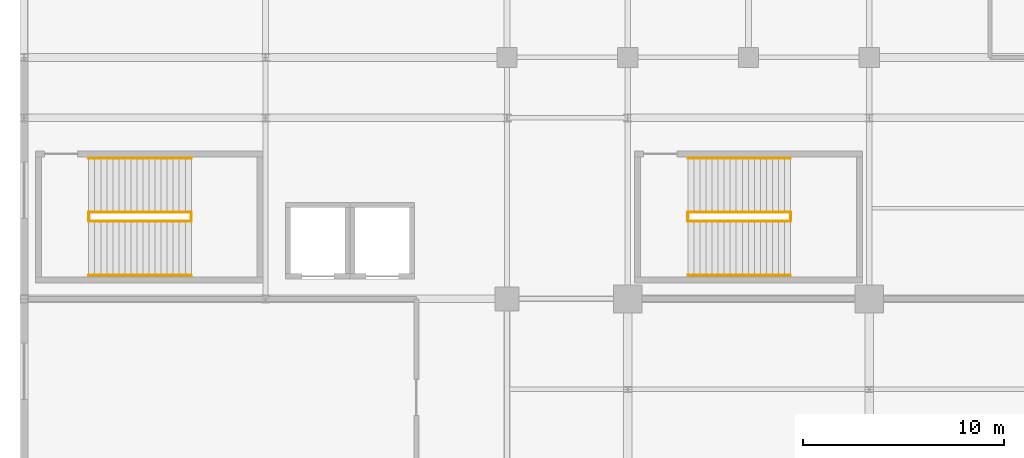
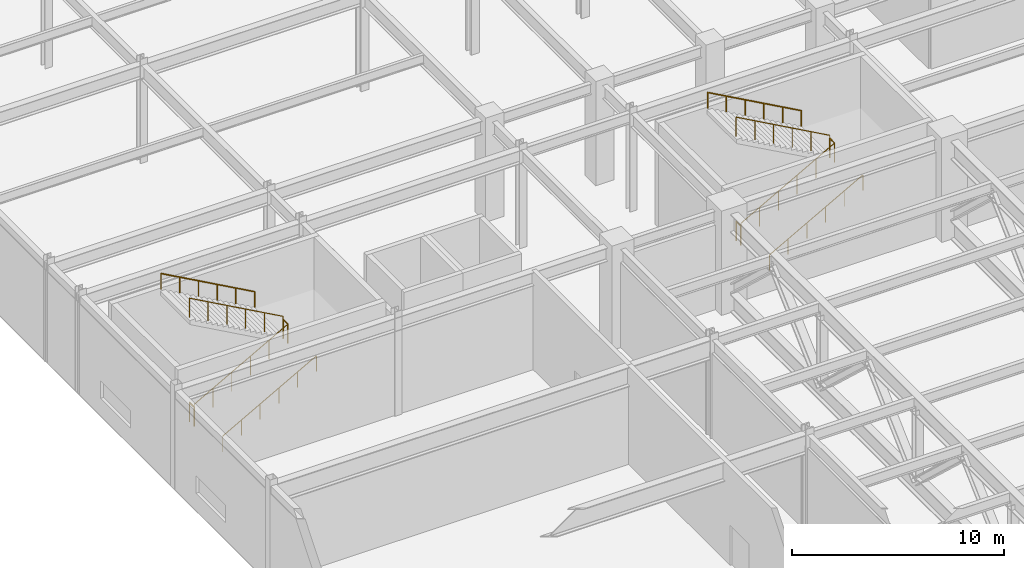
# One storey, part 103 of 108: 12 railings.
"""IFC4 building model written with IfcOpenShell, lengths in metres."""

from ifc_helpers import new_model, si_unit, direction, frame, origin, origin_2d, place, context, subcontext, project, spatial, circle, extrude, material, type_object, element, save


model = new_model("IFC4")

# Units and contexts
model_context = context("Model", 3, precision=1e-05, world=origin(), true_north=direction((0.0, 1.0)))
body_context = subcontext(model_context, "Body", "Model", "MODEL_VIEW")
ifc_project = project(units=[si_unit("LENGTHUNIT", "METRE"), si_unit("AREAUNIT", "SQUARE_METRE"), si_unit("VOLUMEUNIT", "CUBIC_METRE"), si_unit("PLANEANGLEUNIT", "RADIAN"), si_unit("MASSUNIT", "GRAM", prefix="KILO")], contexts=[model_context])

# Site, building, storey
site_placement = place(None, origin())
site = spatial("IfcSite", under=ifc_project, at=site_placement, CompositionType="ELEMENT")
building_placement = place(site_placement, origin())
building = spatial("IfcBuilding", under=site, at=building_placement, Name="Kaldorvane Square Convention Centre", CompositionType="ELEMENT")
storey_placement = place(building_placement, frame((0.0, 0.0, 12.0)))
storey = spatial("IfcBuildingStorey", under=building, at=storey_placement, Name="L02", CompositionType="ELEMENT", Elevation=12.0)

# Railings
ifc_material = material(Name="Architectural Painted Steel", Category="steel")
railing_type_1 = type_object("IfcRailingType", Name="RL-GUARD-1120", PredefinedType="BALUSTRADE", material=ifc_material)
for number, where, name in (
    (1, (3.2100067138671875, 75.86000061035156, 0.0), "Convention Exit Stair C12 Floor Well Guard (L02)"),
    (2, (8.30999755859375, 75.86000061035156, 3.0), "Convention Exit Stair C12 Half-Landing Guard (L02)"),
):
    element("IfcRailing", number, at=place(storey_placement, frame(where)), inside=storey, type_object=railing_type_1, Name=name, PredefinedType="BALUSTRADE", context=body_context, shape_type="SweptSolid", body=[
        extrude(circle(Radius=0.0240020751953125, at=origin_2d()), frame((0.0, 0.0, 1.0959930419921875), z_axis=(0.0, 1.0, 0.0), x_axis=(-1.0, 0.0, 0.0)), (0.0, 0.0, 1.0), 0.44000244140625),
        extrude(circle(Radius=0.02099609375, at=origin_2d()), origin(), (0.0, 0.0, 1.0), 1.071990966796875),
        extrude(circle(Radius=0.02099609375, at=origin_2d()), frame((0.0, 0.44000244140625, 0.0)), (0.0, 0.0, 1.0), 1.071990966796875),
    ])
railing_1_placement = place(storey_placement, frame((3.2100067138671875, 75.85000610351562, 0.1666717529296875)))
element("IfcRailing", 3, at=railing_1_placement, inside=storey, type_object=railing_type_1, Name="Convention Exit Stair C12 Flight 1 Guard (L02)", PredefinedType="BALUSTRADE", context=body_context, shape_type="SweptSolid", body=[
    extrude(circle(Radius=0.0240020751953125, at=origin_2d()), frame((0.0, 0.0, 1.0959930419921875), z_axis=(0.874157276122, 0.0, 0.485642931179), x_axis=(0.0, 1.0, 0.0)), (0.0, 0.0, 1.0), 5.8341827392578125),
    extrude(circle(Radius=0.02099609375, at=origin_2d()), origin(), (0.0, 0.0, 1.0), 1.071990966796875),
    extrude(circle(Radius=0.02099609375, at=origin_2d()), frame((1.0200042724609375, 0.0, 0.5666656494140625)), (0.0, 0.0, 1.0), 1.071990966796875),
    extrude(circle(Radius=0.02099609375, at=origin_2d()), frame((2.0399932861328125, 0.0, 1.133331298828125)), (0.0, 0.0, 1.0), 1.071990966796875),
    extrude(circle(Radius=0.02099609375, at=origin_2d()), frame((3.05999755859375, 0.0, 1.6999969482421875)), (0.0, 0.0, 1.0), 1.071990966796875),
    extrude(circle(Radius=0.02099609375, at=origin_2d()), frame((4.079986572265625, 0.0, 2.26666259765625)), (0.0, 0.0, 1.0), 1.071990966796875),
    extrude(circle(Radius=0.02099609375, at=origin_2d()), frame((5.0999908447265625, 0.0, 2.8333282470703125)), (0.0, 0.0, 1.0), 1.071990966796875),
])
railing_2_placement = place(storey_placement, frame((8.30999755859375, 76.30999755859375, 3.1666717529296875)))
element("IfcRailing", 4, at=railing_2_placement, inside=storey, type_object=railing_type_1, Name="Convention Exit Stair C12 Flight 2 Guard (L02)", PredefinedType="BALUSTRADE", context=body_context, shape_type="SweptSolid", body=[
    extrude(circle(Radius=0.0240020751953125, at=origin_2d()), frame((0.0, 0.0, 1.0959930419921875), z_axis=(-0.874157276122, 0.0, 0.485642931179), x_axis=(0.0, -1.0, 0.0)), (0.0, 0.0, 1.0), 5.8341827392578125),
    extrude(circle(Radius=0.02099609375, at=origin_2d()), origin(), (0.0, 0.0, 1.0), 1.071990966796875),
    extrude(circle(Radius=0.02099609375, at=origin_2d()), frame((-1.0200042724609375, 0.0, 0.5666656494140625)), (0.0, 0.0, 1.0), 1.071990966796875),
    extrude(circle(Radius=0.02099609375, at=origin_2d()), frame((-2.0399932861328125, 0.0, 1.133331298828125)), (0.0, 0.0, 1.0), 1.071990966796875),
    extrude(circle(Radius=0.02099609375, at=origin_2d()), frame((-3.05999755859375, 0.0, 1.6999969482421875)), (0.0, 0.0, 1.0), 1.071990966796875),
    extrude(circle(Radius=0.02099609375, at=origin_2d()), frame((-4.079986572265625, 0.0, 2.26666259765625)), (0.0, 0.0, 1.0), 1.071990966796875),
    extrude(circle(Radius=0.02099609375, at=origin_2d()), frame((-5.0999908447265625, 0.0, 2.8333282470703125)), (0.0, 0.0, 1.0), 1.071990966796875),
])
for number, where, name in (
    (5, (32.99000549316406, 75.86000061035156, 0.0), "Convention Exit Stair C13 Floor Well Guard (L02)"),
    (6, (38.089996337890625, 75.86000061035156, 3.0), "Convention Exit Stair C13 Half-Landing Guard (L02)"),
):
    element("IfcRailing", number, at=place(storey_placement, frame(where)), inside=storey, type_object=railing_type_1, Name=name, PredefinedType="BALUSTRADE", context=body_context, shape_type="SweptSolid", body=[
        extrude(circle(Radius=0.0240020751953125, at=origin_2d()), frame((0.0, 0.0, 1.0959930419921875), z_axis=(0.0, 1.0, 0.0), x_axis=(-1.0, 0.0, 0.0)), (0.0, 0.0, 1.0), 0.44000244140625),
        extrude(circle(Radius=0.02099609375, at=origin_2d()), origin(), (0.0, 0.0, 1.0), 1.071990966796875),
        extrude(circle(Radius=0.02099609375, at=origin_2d()), frame((0.0, 0.44000244140625, 0.0)), (0.0, 0.0, 1.0), 1.071990966796875),
    ])
railing_3_placement = place(storey_placement, frame((32.99000549316406, 75.85000610351562, 0.1666717529296875)))
element("IfcRailing", 7, at=railing_3_placement, inside=storey, type_object=railing_type_1, Name="Convention Exit Stair C13 Flight 1 Guard (L02)", PredefinedType="BALUSTRADE", context=body_context, shape_type="SweptSolid", body=[
    extrude(circle(Radius=0.0240020751953125, at=origin_2d()), frame((0.0, 0.0, 1.0959930419921875), z_axis=(0.874157276122, 0.0, 0.485642931179), x_axis=(0.0, 1.0, 0.0)), (0.0, 0.0, 1.0), 5.8341827392578125),
    extrude(circle(Radius=0.02099609375, at=origin_2d()), origin(), (0.0, 0.0, 1.0), 1.071990966796875),
    extrude(circle(Radius=0.02099609375, at=origin_2d()), frame((1.0200042724609375, 0.0, 0.5666656494140625)), (0.0, 0.0, 1.0), 1.071990966796875),
    extrude(circle(Radius=0.02099609375, at=origin_2d()), frame((2.0399932861328125, 0.0, 1.133331298828125)), (0.0, 0.0, 1.0), 1.071990966796875),
    extrude(circle(Radius=0.02099609375, at=origin_2d()), frame((3.05999755859375, 0.0, 1.6999969482421875)), (0.0, 0.0, 1.0), 1.071990966796875),
    extrude(circle(Radius=0.02099609375, at=origin_2d()), frame((4.079986572265625, 0.0, 2.26666259765625)), (0.0, 0.0, 1.0), 1.071990966796875),
    extrude(circle(Radius=0.02099609375, at=origin_2d()), frame((5.0999908447265625, 0.0, 2.8333282470703125)), (0.0, 0.0, 1.0), 1.071990966796875),
])
railing_4_placement = place(storey_placement, frame((38.089996337890625, 76.30999755859375, 3.1666717529296875)))
element("IfcRailing", 8, at=railing_4_placement, inside=storey, type_object=railing_type_1, Name="Convention Exit Stair C13 Flight 2 Guard (L02)", PredefinedType="BALUSTRADE", context=body_context, shape_type="SweptSolid", body=[
    extrude(circle(Radius=0.0240020751953125, at=origin_2d()), frame((0.0, 0.0, 1.0959930419921875), z_axis=(-0.874157276122, 0.0, 0.485642931179), x_axis=(0.0, -1.0, 0.0)), (0.0, 0.0, 1.0), 5.8341827392578125),
    extrude(circle(Radius=0.02099609375, at=origin_2d()), origin(), (0.0, 0.0, 1.0), 1.071990966796875),
    extrude(circle(Radius=0.02099609375, at=origin_2d()), frame((-1.0200042724609375, 0.0, 0.5666656494140625)), (0.0, 0.0, 1.0), 1.071990966796875),
    extrude(circle(Radius=0.02099609375, at=origin_2d()), frame((-2.0399932861328125, 0.0, 1.133331298828125)), (0.0, 0.0, 1.0), 1.071990966796875),
    extrude(circle(Radius=0.02099609375, at=origin_2d()), frame((-3.05999755859375, 0.0, 1.6999969482421875)), (0.0, 0.0, 1.0), 1.071990966796875),
    extrude(circle(Radius=0.02099609375, at=origin_2d()), frame((-4.079986572265625, 0.0, 2.26666259765625)), (0.0, 0.0, 1.0), 1.071990966796875),
    extrude(circle(Radius=0.02099609375, at=origin_2d()), frame((-5.0999908447265625, 0.0, 2.8333282470703125)), (0.0, 0.0, 1.0), 1.071990966796875),
])
railing_type_2 = type_object("IfcRailingType", Name="RL-HAND-915", PredefinedType="HANDRAIL", material=ifc_material)
railing_5_placement = place(storey_placement, frame((3.2100067138671875, 73.16999816894531, 0.1666717529296875)))
element("IfcRailing", 9, at=railing_5_placement, inside=storey, type_object=railing_type_2, Name="Convention Exit Stair C12 Wall Handrail 1 (L02)", PredefinedType="HANDRAIL", context=body_context, shape_type="SweptSolid", body=[
    extrude(circle(Radius=0.0240020751953125, at=origin_2d()), frame((0.0, 0.0, 0.8909912109375), z_axis=(0.874157276122, 0.0, 0.485642931179), x_axis=(0.0, 1.0, 0.0)), (0.0, 0.0, 1.0), 5.8341827392578125),
    extrude(circle(Radius=0.02099609375, at=origin_2d()), origin(), (0.0, 0.0, 1.0), 0.8669891357421875),
    extrude(circle(Radius=0.02099609375, at=origin_2d()), frame((1.0200042724609375, 0.0, 0.5666656494140625)), (0.0, 0.0, 1.0), 0.8669891357421875),
    extrude(circle(Radius=0.02099609375, at=origin_2d()), frame((2.0399932861328125, 0.0, 1.133331298828125)), (0.0, 0.0, 1.0), 0.8669891357421875),
    extrude(circle(Radius=0.02099609375, at=origin_2d()), frame((3.05999755859375, 0.0, 1.6999969482421875)), (0.0, 0.0, 1.0), 0.8669891357421875),
    extrude(circle(Radius=0.02099609375, at=origin_2d()), frame((4.079986572265625, 0.0, 2.26666259765625)), (0.0, 0.0, 1.0), 0.8669891357421875),
    extrude(circle(Radius=0.02099609375, at=origin_2d()), frame((5.0999908447265625, 0.0, 2.8333282470703125)), (0.0, 0.0, 1.0), 0.8669891357421875),
])
railing_6_placement = place(storey_placement, frame((8.30999755859375, 78.99000549316406, 3.1666717529296875)))
element("IfcRailing", 10, at=railing_6_placement, inside=storey, type_object=railing_type_2, Name="Convention Exit Stair C12 Wall Handrail 2 (L02)", PredefinedType="HANDRAIL", context=body_context, shape_type="SweptSolid", body=[
    extrude(circle(Radius=0.0240020751953125, at=origin_2d()), frame((0.0, 0.0, 0.8909912109375), z_axis=(-0.874157276122, 0.0, 0.485642931179), x_axis=(0.0, -1.0, 0.0)), (0.0, 0.0, 1.0), 5.8341827392578125),
    extrude(circle(Radius=0.02099609375, at=origin_2d()), origin(), (0.0, 0.0, 1.0), 0.8669891357421875),
    extrude(circle(Radius=0.02099609375, at=origin_2d()), frame((-1.0200042724609375, 0.0, 0.5666656494140625)), (0.0, 0.0, 1.0), 0.8669891357421875),
    extrude(circle(Radius=0.02099609375, at=origin_2d()), frame((-2.0399932861328125, 0.0, 1.133331298828125)), (0.0, 0.0, 1.0), 0.8669891357421875),
    extrude(circle(Radius=0.02099609375, at=origin_2d()), frame((-3.05999755859375, 0.0, 1.6999969482421875)), (0.0, 0.0, 1.0), 0.8669891357421875),
    extrude(circle(Radius=0.02099609375, at=origin_2d()), frame((-4.079986572265625, 0.0, 2.26666259765625)), (0.0, 0.0, 1.0), 0.8669891357421875),
    extrude(circle(Radius=0.02099609375, at=origin_2d()), frame((-5.0999908447265625, 0.0, 2.8333282470703125)), (0.0, 0.0, 1.0), 0.8669891357421875),
])
railing_7_placement = place(storey_placement, frame((32.99000549316406, 73.16999816894531, 0.1666717529296875)))
element("IfcRailing", 11, at=railing_7_placement, inside=storey, type_object=railing_type_2, Name="Convention Exit Stair C13 Wall Handrail 1 (L02)", PredefinedType="HANDRAIL", context=body_context, shape_type="SweptSolid", body=[
    extrude(circle(Radius=0.0240020751953125, at=origin_2d()), frame((0.0, 0.0, 0.8909912109375), z_axis=(0.874157276122, 0.0, 0.485642931179), x_axis=(0.0, 1.0, 0.0)), (0.0, 0.0, 1.0), 5.8341827392578125),
    extrude(circle(Radius=0.02099609375, at=origin_2d()), origin(), (0.0, 0.0, 1.0), 0.8669891357421875),
    extrude(circle(Radius=0.02099609375, at=origin_2d()), frame((1.0200042724609375, 0.0, 0.5666656494140625)), (0.0, 0.0, 1.0), 0.8669891357421875),
    extrude(circle(Radius=0.02099609375, at=origin_2d()), frame((2.0399932861328125, 0.0, 1.133331298828125)), (0.0, 0.0, 1.0), 0.8669891357421875),
    extrude(circle(Radius=0.02099609375, at=origin_2d()), frame((3.05999755859375, 0.0, 1.6999969482421875)), (0.0, 0.0, 1.0), 0.8669891357421875),
    extrude(circle(Radius=0.02099609375, at=origin_2d()), frame((4.079986572265625, 0.0, 2.26666259765625)), (0.0, 0.0, 1.0), 0.8669891357421875),
    extrude(circle(Radius=0.02099609375, at=origin_2d()), frame((5.0999908447265625, 0.0, 2.8333282470703125)), (0.0, 0.0, 1.0), 0.8669891357421875),
])
railing_8_placement = place(storey_placement, frame((38.089996337890625, 78.99000549316406, 3.1666717529296875)))
element("IfcRailing", 12, at=railing_8_placement, inside=storey, type_object=railing_type_2, Name="Convention Exit Stair C13 Wall Handrail 2 (L02)", PredefinedType="HANDRAIL", context=body_context, shape_type="SweptSolid", body=[
    extrude(circle(Radius=0.0240020751953125, at=origin_2d()), frame((0.0, 0.0, 0.8909912109375), z_axis=(-0.874157276122, 0.0, 0.485642931179), x_axis=(0.0, -1.0, 0.0)), (0.0, 0.0, 1.0), 5.8341827392578125),
    extrude(circle(Radius=0.02099609375, at=origin_2d()), origin(), (0.0, 0.0, 1.0), 0.8669891357421875),
    extrude(circle(Radius=0.02099609375, at=origin_2d()), frame((-1.0200042724609375, 0.0, 0.5666656494140625)), (0.0, 0.0, 1.0), 0.8669891357421875),
    extrude(circle(Radius=0.02099609375, at=origin_2d()), frame((-2.0399932861328125, 0.0, 1.133331298828125)), (0.0, 0.0, 1.0), 0.8669891357421875),
    extrude(circle(Radius=0.02099609375, at=origin_2d()), frame((-3.05999755859375, 0.0, 1.6999969482421875)), (0.0, 0.0, 1.0), 0.8669891357421875),
    extrude(circle(Radius=0.02099609375, at=origin_2d()), frame((-4.079986572265625, 0.0, 2.26666259765625)), (0.0, 0.0, 1.0), 0.8669891357421875),
    extrude(circle(Radius=0.02099609375, at=origin_2d()), frame((-5.0999908447265625, 0.0, 2.8333282470703125)), (0.0, 0.0, 1.0), 0.8669891357421875),
])

save(model, "model.ifc")
